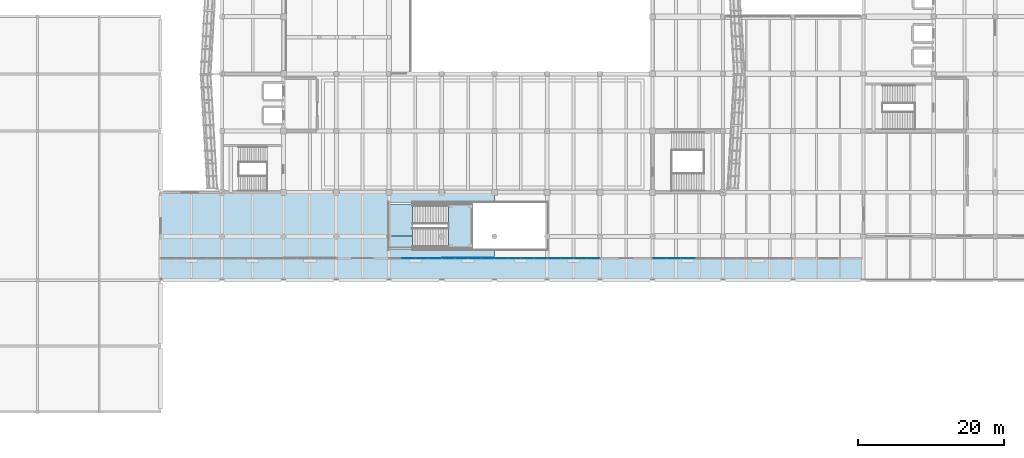
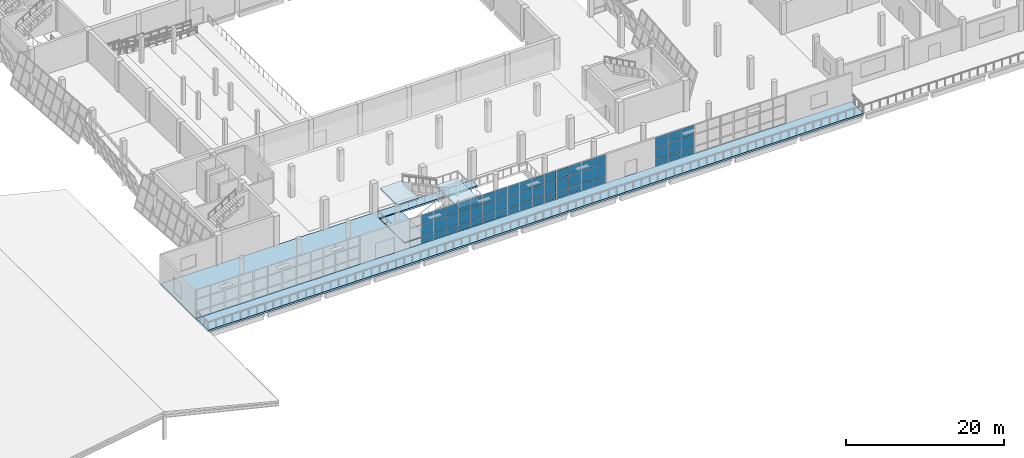
# One storey, part 50 of 79: 54 plates, 5 slabs, 6 elements without a shape of their own.
"""IFC4 building model written with IfcOpenShell, lengths in metres."""

import ifcopenshell
import ifcopenshell.guid

model = None  # the IFC model being written
_history = None  # IfcOwnerHistory: only IFC2X3 demands one
_inside = {}  # id of a spatial element -> (the spatial element, [elements in it])
_under = {}  # id of a project, library or spatial element -> (it, [spatial elements below it])
_declared = {}  # id of a project -> (the project, [libraries it declares])
_typed = {}  # id of a type object -> (the type object, [elements of that type])
_made_of = {}  # id of a material, layer set ... -> (it, [elements and type objects made of it])


def new_model(schema):
    """Start an empty IFC model of exactly this schema.

    Asked for "IFC4X3", IfcOpenShell would pick the latest addendum, in which some entities
    have other attributes; the version numbers below select the first issue.
    IFC2X3 requires an IfcOwnerHistory on every rooted entity: one is made here for all.
    """
    global model, _history
    if schema == "IFC4X3":
        model = ifcopenshell.file(schema_version=(4, 3, 0, 0))
    else:
        model = ifcopenshell.file(schema=schema)
    _inside.clear()
    _under.clear()
    _declared.clear()
    _typed.clear()
    _made_of.clear()
    _history = None
    if model.schema == "IFC2X3":
        org = make("IfcOrganization", Name="unknown")
        user = make(
            "IfcPersonAndOrganization",
            ThePerson=make("IfcPerson", FamilyName="unknown"),
            TheOrganization=org,
        )
        app = make(
            "IfcApplication",
            ApplicationDeveloper=org,
            Version="unknown",
            ApplicationFullName="unknown",
            ApplicationIdentifier="unknown",
        )
        _history = make(
            "IfcOwnerHistory",
            OwningUser=user,
            OwningApplication=app,
            ChangeAction="ADDED",
            CreationDate=0,
        )
    return model


def make(cls, **values):
    """One entity of the class cls with the attributes given. An attribute that is None is left unset."""
    return model.create_entity(
        cls, **{name: value for name, value in values.items() if value is not None}
    )


def rooted(cls, **values):
    """An entity with a GlobalId (a new one), such as an element, a storey or a relation."""
    return make(cls, GlobalId=ifcopenshell.guid.new(), OwnerHistory=_history, **values)


def si_unit(unit_type, name, prefix=None):
    """IfcSIUnit, for example si_unit("LENGTHUNIT", "METRE", prefix="MILLI")."""
    return make("IfcSIUnit", UnitType=unit_type, Prefix=prefix, Name=name)


def assignment(units):
    """IfcUnitAssignment: the units of a project."""
    return None if units is None else make("IfcUnitAssignment", Units=units)


def point(xyz):
    """IfcCartesianPoint."""
    return None if xyz is None else make("IfcCartesianPoint", Coordinates=xyz)


def direction(xyz):
    """IfcDirection."""
    return None if xyz is None else make("IfcDirection", DirectionRatios=xyz)


def frame(location, z_axis=None, x_axis=None):
    """IfcAxis2Placement3D, a coordinate frame: its origin and axes. An axis left out is left unset."""
    return make(
        "IfcAxis2Placement3D",
        Location=point(location),
        Axis=direction(z_axis),
        RefDirection=direction(x_axis),
    )


def origin():
    """The frame at (0, 0, 0) with its axes left unset."""
    return frame((0.0, 0.0, 0.0))


def place(relative_to, where):
    """IfcLocalPlacement: puts the frame where relative to a parent placement (None: the world)."""
    return make(
        "IfcLocalPlacement", PlacementRelTo=relative_to, RelativePlacement=where
    )


def context(
    kind, dimensions, precision=None, world=None, true_north=None, identifier=None
):
    """IfcGeometricRepresentationContext, for example the 3D "Model" context."""
    return make(
        "IfcGeometricRepresentationContext",
        ContextIdentifier=identifier,
        ContextType=kind,
        CoordinateSpaceDimension=dimensions,
        Precision=precision,
        WorldCoordinateSystem=world,
        TrueNorth=true_north,
    )


def subcontext(parent, identifier, kind, view, scale=None):
    """IfcGeometricRepresentationSubContext, for example "Body" below "Model"."""
    return make(
        "IfcGeometricRepresentationSubContext",
        ContextIdentifier=identifier,
        ContextType=kind,
        ParentContext=parent,
        TargetScale=scale,
        TargetView=view,
    )


def project(units=None, contexts=None):
    """IfcProject with its units and contexts."""
    return rooted(
        "IfcProject",
        Name="project",
        RepresentationContexts=contexts,
        UnitsInContext=assignment(units),
    )


def spatial(cls, under=None, at=None, **own):
    """A site, building, storey or space (cls), placed at a placement, below another one or the project."""
    s = rooted(cls, ObjectPlacement=at, **own)
    if under is not None:
        _under.setdefault(under.id(), (under, []))[1].append(s)
    return s


def polyline(points):
    """IfcPolyline through the points."""
    return make("IfcPolyline", Points=[point(p) for p in points])


def outline(outer, holes=None, kind="AREA"):
    """IfcArbitraryClosedProfileDef: a profile drawn as a closed curve; with holes, ...WithVoids."""
    if holes is None:
        return make("IfcArbitraryClosedProfileDef", ProfileType=kind, OuterCurve=outer)
    return make(
        "IfcArbitraryProfileDefWithVoids",
        ProfileType=kind,
        OuterCurve=outer,
        InnerCurves=holes,
    )


def extrude(swept, where, along, depth):
    """IfcExtrudedAreaSolid: the profile swept, set in the frame where, extruded along a direction by depth."""
    return make(
        "IfcExtrudedAreaSolid",
        SweptArea=swept,
        Position=where,
        ExtrudedDirection=direction(along),
        Depth=depth,
    )


def shape(context_of_items, identifier, shape_type, items):
    """IfcShapeRepresentation: the items that make up one representation, for example the "Body"."""
    return make(
        "IfcShapeRepresentation",
        ContextOfItems=context_of_items,
        RepresentationIdentifier=identifier,
        RepresentationType=shape_type,
        Items=items,
    )


def material(Name=None, Category=None):
    """IfcMaterial."""
    return make("IfcMaterial", Name=Name, Category=Category)


def layer(
    of_material, thickness, ventilated=None, Name=None, Category=None, Priority=None
):
    """IfcMaterialLayer: one layer of a wall or slab, of a material (None: an air gap)."""
    return make(
        "IfcMaterialLayer",
        Material=of_material,
        LayerThickness=thickness,
        IsVentilated=ventilated,
        Name=Name,
        Category=Category,
        Priority=Priority,
    )


def layer_set(layers, Name=None):
    """IfcMaterialLayerSet."""
    return make("IfcMaterialLayerSet", MaterialLayers=layers, LayerSetName=Name)


def made_of(thing, what):
    """Note that an element or type object is made of a material, layer set ...; save() writes the relation."""
    if what is not None:
        _made_of.setdefault(what.id(), (what, []))[1].append(thing)
    return thing


def type_object(cls, material=None, **own):
    """A type object (cls), such as IfcWallType, which elements share."""
    return made_of(rooted(cls, **own), material)


def element(
    cls,
    number,
    at=None,
    inside=None,
    cuts=None,
    type_object=None,
    material=None,
    context=None,
    identifier="Body",
    shape_type=None,
    held_by="IfcProductDefinitionShape",
    body=None,
    shapes=None,
    **own,
):
    """One element of the class cls, such as IfcWall. Its Tag is "e" and its number.

    at: its placement. inside: the storey or other place that contains it. cuts: it is an
    opening in that element (IfcRelVoidsElement). A single representation is given by context,
    identifier, shape_type and body (its items); several are given by shapes. held_by: the class
    of the entity that holds the representations. save() writes the other relations.
    """
    e = rooted(cls, Tag="e%d" % number, ObjectPlacement=at, **own)
    if body is not None:
        shapes = [shape(context, identifier, shape_type, body)]
    if shapes is not None:
        e.Representation = make(held_by, Representations=shapes)
    if inside is not None:
        _inside.setdefault(inside.id(), (inside, []))[1].append(e)
    if cuts is not None:
        rooted(
            "IfcRelVoidsElement", RelatingBuildingElement=cuts, RelatedOpeningElement=e
        )
    if type_object is not None:
        _typed.setdefault(type_object.id(), (type_object, []))[1].append(e)
    return made_of(e, material)


def aggregate(whole, parts):
    """IfcRelAggregates: a whole, such as a stair, and the parts it consists of."""
    return rooted("IfcRelAggregates", RelatingObject=whole, RelatedObjects=parts)


def save(model, path):
    """Write the relations noted so far, then the file.

    IfcRelAggregates (storeys below a building ...), IfcRelContainedInSpatialStructure (elements
    in a storey), IfcRelDefinesByType, IfcRelAssociatesMaterial and IfcRelDeclares: one each for
    every whole, place, type object, material and project.
    """
    for whole, parts in _under.values():
        aggregate(whole, parts)
    for where, things in _inside.values():
        rooted(
            "IfcRelContainedInSpatialStructure",
            RelatedElements=things,
            RelatingStructure=where,
        )
    for kind, things in _typed.values():
        rooted("IfcRelDefinesByType", RelatedObjects=things, RelatingType=kind)
    for what, things in _made_of.values():
        rooted("IfcRelAssociatesMaterial", RelatedObjects=things, RelatingMaterial=what)
    for by, libraries in _declared.values():
        rooted("IfcRelDeclares", RelatingContext=by, RelatedDefinitions=libraries)
    model.write(path)


model = new_model("IFC4")

# Units and contexts
model_context = context("Model", 3, precision=1e-05, world=origin(), true_north=direction((0.0, 1.0)))
body_context = subcontext(model_context, "Body", "Model", "MODEL_VIEW")
ifc_project = project(units=[si_unit("LENGTHUNIT", "METRE"), si_unit("AREAUNIT", "SQUARE_METRE"), si_unit("VOLUMEUNIT", "CUBIC_METRE"), si_unit("PLANEANGLEUNIT", "RADIAN"), si_unit("MASSUNIT", "GRAM", prefix="KILO")], contexts=[model_context])

# Site, building, storey
site_placement = place(None, origin())
site = spatial("IfcSite", under=ifc_project, at=site_placement, CompositionType="ELEMENT")
building_placement = place(site_placement, origin())
building = spatial("IfcBuilding", under=site, at=building_placement, Name="Pellamere Symphony Hall", CompositionType="ELEMENT")
storey_placement = place(building_placement, frame((0.0, 0.0, 10.199951171875)))
storey = spatial("IfcBuildingStorey", under=building, at=storey_placement, Name="L02", CompositionType="ELEMENT", Elevation=10.199951171875)

# Curtain wall, plates
ifc_material_1 = material(Name="Thermally Broken Anodised Aluminium 6063-T6 Curtain Wall", Category="aluminium")
curtain_wall_type = type_object("IfcCurtainWallType", Name="Curtain Wall CW-02 (Winter-Garden South Concourse Curtain Wall)", PredefinedType="NOTDEFINED", material=ifc_material_1)
curtain_wall_1_placement = place(storey_placement, origin())
curtain_wall_1 = element("IfcCurtainWall", 1, at=curtain_wall_1_placement, inside=storey, type_object=curtain_wall_type, Name="Winter-Garden South Curtain Wall (L02 Bay 5)", PredefinedType="NOTDEFINED")
ifc_material_2 = material(Name="Triple Low-E Argon Acoustic Glazing 36mm", Category="glass")
ifc_layer_1 = layer(ifc_material_2, 0.035888671875, Name="Triple Low-E Argon Acoustic Glazing 36mm")
ifc_layer_set_1 = layer_set([ifc_layer_1], Name="Triple Low-E Argon Acoustic Glazing 36mm")
plate_type_1 = type_object("IfcPlateType", Name="Facade Panel GL-01 36mm", PredefinedType="CURTAIN_PANEL", material=ifc_layer_set_1)
plate_1_placement = place(storey_placement, frame((75.032470703125, 21.0, 0.06494140625), z_axis=(0.0, -1.0, 0.0), x_axis=(1.0, 0.0, 0.0)))
plate_1 = element("IfcPlate", 2, at=plate_1_placement, type_object=plate_type_1, Name="CW2-080 crystal glass panel 2.1", PredefinedType="CURTAIN_PANEL", context=body_context, shape_type="SweptSolid", body=[
    extrude(outline(polyline([(0.0, 0.0), (1.735107421875, 0.0), (1.735107421875, 0.982666015625), (0.0, 0.982666015625), (0.0, 0.0)])), origin(), (0.0, 0.0, -1.0), 0.035888671875),
])
plate_2_placement = place(storey_placement, frame((75.032470703125, 21.0, 1.112548828125), z_axis=(0.0, -1.0, 0.0), x_axis=(1.0, 0.0, 0.0)))
plate_2 = element("IfcPlate", 3, at=plate_2_placement, type_object=plate_type_1, Name="CW2-080 crystal glass panel 2.2", PredefinedType="CURTAIN_PANEL", context=body_context, shape_type="SweptSolid", body=[
    extrude(outline(polyline([(0.0, 0.0), (1.735107421875, 0.0), (1.735107421875, 1.824951171875), (0.0, 1.824951171875), (0.0, 0.0)])), origin(), (0.0, 0.0, -1.0), 0.035888671875),
])
plate_3_placement = place(storey_placement, frame((75.032470703125, 21.0, 3.00244140625), z_axis=(0.0, -1.0, 0.0), x_axis=(1.0, 0.0, 0.0)))
plate_3 = element("IfcPlate", 4, at=plate_3_placement, type_object=plate_type_1, Name="CW2-080 crystal glass panel 2.3", PredefinedType="CURTAIN_PANEL", context=body_context, shape_type="SweptSolid", body=[
    extrude(outline(polyline([(0.0, 0.0), (1.735107421875, 0.0), (1.735107421875, 1.4326171875), (0.0, 1.4326171875), (0.0, 0.0)])), origin(), (0.0, 0.0, -1.0), 0.035888671875),
])
plate_4_placement = place(storey_placement, frame((76.83251953125, 21.0, 0.06494140625), z_axis=(0.0, -1.0, 0.0), x_axis=(1.0, 0.0, 0.0)))
plate_4 = element("IfcPlate", 5, at=plate_4_placement, type_object=plate_type_1, Name="CW2-080 crystal glass panel 3.1", PredefinedType="CURTAIN_PANEL", context=body_context, shape_type="SweptSolid", body=[
    extrude(outline(polyline([(0.0, 0.0), (1.73486328125, 0.0), (1.73486328125, 0.982666015625), (0.0, 0.982666015625), (0.0, 0.0)])), origin(), (0.0, 0.0, -1.0), 0.035888671875),
])
plate_5_placement = place(storey_placement, frame((76.83251953125, 21.0, 1.112548828125), z_axis=(0.0, -1.0, 0.0), x_axis=(1.0, 0.0, 0.0)))
plate_5 = element("IfcPlate", 6, at=plate_5_placement, type_object=plate_type_1, Name="CW2-080 crystal glass panel 3.2", PredefinedType="CURTAIN_PANEL", context=body_context, shape_type="SweptSolid", body=[
    extrude(outline(polyline([(0.0, 0.0), (1.73486328125, 0.0), (1.73486328125, 1.824951171875), (0.0, 1.824951171875), (0.0, 0.0)])), origin(), (0.0, 0.0, -1.0), 0.035888671875),
])
plate_6_placement = place(storey_placement, frame((76.83251953125, 21.0, 3.00244140625), z_axis=(0.0, -1.0, 0.0), x_axis=(1.0, 0.0, 0.0)))
plate_6 = element("IfcPlate", 7, at=plate_6_placement, type_object=plate_type_1, Name="CW2-080 crystal glass panel 3.3", PredefinedType="CURTAIN_PANEL", context=body_context, shape_type="SweptSolid", body=[
    extrude(outline(polyline([(0.0, 0.0), (1.73486328125, 0.0), (1.73486328125, 1.4326171875), (0.0, 1.4326171875), (0.0, 0.0)])), origin(), (0.0, 0.0, -1.0), 0.035888671875),
])
plate_7_placement = place(storey_placement, frame((78.632568359375, 21.0, 0.06494140625), z_axis=(0.0, -1.0, 0.0), x_axis=(1.0, 0.0, 0.0)))
plate_7 = element("IfcPlate", 8, at=plate_7_placement, type_object=plate_type_1, Name="CW2-080 crystal glass panel 4.1", PredefinedType="CURTAIN_PANEL", context=body_context, shape_type="SweptSolid", body=[
    extrude(outline(polyline([(0.0, 0.0), (1.702392578125, 0.0), (1.702392578125, 0.982666015625), (0.0, 0.982666015625), (0.0, 0.0)])), origin(), (0.0, 0.0, -1.0), 0.035888671875),
])
plate_8_placement = place(storey_placement, frame((78.632568359375, 21.0, 1.112548828125), z_axis=(0.0, -1.0, 0.0), x_axis=(1.0, 0.0, 0.0)))
plate_8 = element("IfcPlate", 9, at=plate_8_placement, type_object=plate_type_1, Name="CW2-080 crystal glass panel 4.2", PredefinedType="CURTAIN_PANEL", context=body_context, shape_type="SweptSolid", body=[
    extrude(outline(polyline([(0.0, 0.0), (1.702392578125, 0.0), (1.702392578125, 1.824951171875), (0.0, 1.824951171875), (0.0, 0.0)])), origin(), (0.0, 0.0, -1.0), 0.035888671875),
])
plate_9_placement = place(storey_placement, frame((78.632568359375, 21.0, 3.00244140625), z_axis=(0.0, -1.0, 0.0), x_axis=(1.0, 0.0, 0.0)))
plate_9 = element("IfcPlate", 10, at=plate_9_placement, type_object=plate_type_1, Name="CW2-080 crystal glass panel 4.3", PredefinedType="CURTAIN_PANEL", context=body_context, shape_type="SweptSolid", body=[
    extrude(outline(polyline([(0.0, 0.0), (1.702392578125, 0.0), (1.702392578125, 1.4326171875), (0.0, 1.4326171875), (0.0, 0.0)])), origin(), (0.0, 0.0, -1.0), 0.035888671875),
])
aggregate(curtain_wall_1, [plate_1, plate_2, plate_3, plate_4, plate_5, plate_6, plate_7, plate_8, plate_9])

curtain_wall_2_placement = place(storey_placement, origin())
curtain_wall_2 = element("IfcCurtainWall", 11, at=curtain_wall_2_placement, inside=storey, type_object=curtain_wall_type, Name="Winter-Garden South Curtain Wall (L02 Bay 7)", PredefinedType="NOTDEFINED")
plate_10_placement = place(storey_placement, frame((87.6650390625, 21.0, 0.06494140625), z_axis=(0.0, -1.0, 0.0), x_axis=(1.0, 0.0, 0.0)))
plate_10 = element("IfcPlate", 12, at=plate_10_placement, type_object=plate_type_1, Name="CW2-082 crystal glass panel 1.1", PredefinedType="CURTAIN_PANEL", context=body_context, shape_type="SweptSolid", body=[
    extrude(outline(polyline([(0.0, 0.0), (1.702392578125, 0.0), (1.702392578125, 0.982666015625), (0.0, 0.982666015625), (0.0, 0.0)])), origin(), (0.0, 0.0, -1.0), 0.035888671875),
])
plate_11_placement = place(storey_placement, frame((87.6650390625, 21.0, 1.112548828125), z_axis=(0.0, -1.0, 0.0), x_axis=(1.0, 0.0, 0.0)))
plate_11 = element("IfcPlate", 13, at=plate_11_placement, type_object=plate_type_1, Name="CW2-082 crystal glass panel 1.2", PredefinedType="CURTAIN_PANEL", context=body_context, shape_type="SweptSolid", body=[
    extrude(outline(polyline([(0.0, 0.0), (1.702392578125, 0.0), (1.702392578125, 1.824951171875), (0.0, 1.824951171875), (0.0, 0.0)])), origin(), (0.0, 0.0, -1.0), 0.035888671875),
])
plate_12_placement = place(storey_placement, frame((87.6650390625, 21.0, 3.00244140625), z_axis=(0.0, -1.0, 0.0), x_axis=(1.0, 0.0, 0.0)))
plate_12 = element("IfcPlate", 14, at=plate_12_placement, type_object=plate_type_1, Name="CW2-082 crystal glass panel 1.3", PredefinedType="CURTAIN_PANEL", context=body_context, shape_type="SweptSolid", body=[
    extrude(outline(polyline([(0.0, 0.0), (1.702392578125, 0.0), (1.702392578125, 1.4326171875), (0.0, 1.4326171875), (0.0, 0.0)])), origin(), (0.0, 0.0, -1.0), 0.035888671875),
])
plate_13_placement = place(storey_placement, frame((89.4326171875, 21.0, 0.06494140625), z_axis=(0.0, -1.0, 0.0), x_axis=(1.0, 0.0, 0.0)))
plate_13 = element("IfcPlate", 15, at=plate_13_placement, type_object=plate_type_1, Name="CW2-082 crystal glass panel 2.1", PredefinedType="CURTAIN_PANEL", context=body_context, shape_type="SweptSolid", body=[
    extrude(outline(polyline([(0.0, 0.0), (1.73486328125, 0.0), (1.73486328125, 0.982666015625), (0.0, 0.982666015625), (0.0, 0.0)])), origin(), (0.0, 0.0, -1.0), 0.035888671875),
])
plate_14_placement = place(storey_placement, frame((89.4326171875, 21.0, 1.112548828125), z_axis=(0.0, -1.0, 0.0), x_axis=(1.0, 0.0, 0.0)))
plate_14 = element("IfcPlate", 16, at=plate_14_placement, type_object=plate_type_1, Name="CW2-082 crystal glass panel 2.2", PredefinedType="CURTAIN_PANEL", context=body_context, shape_type="SweptSolid", body=[
    extrude(outline(polyline([(0.0, 0.0), (1.73486328125, 0.0), (1.73486328125, 1.824951171875), (0.0, 1.824951171875), (0.0, 0.0)])), origin(), (0.0, 0.0, -1.0), 0.035888671875),
])
plate_15_placement = place(storey_placement, frame((89.4326171875, 21.0, 3.00244140625), z_axis=(0.0, -1.0, 0.0), x_axis=(1.0, 0.0, 0.0)))
plate_15 = element("IfcPlate", 17, at=plate_15_placement, type_object=plate_type_1, Name="CW2-082 crystal glass panel 2.3", PredefinedType="CURTAIN_PANEL", context=body_context, shape_type="SweptSolid", body=[
    extrude(outline(polyline([(0.0, 0.0), (1.73486328125, 0.0), (1.73486328125, 1.4326171875), (0.0, 1.4326171875), (0.0, 0.0)])), origin(), (0.0, 0.0, -1.0), 0.035888671875),
])
plate_16_placement = place(storey_placement, frame((91.232421875, 21.0, 0.06494140625), z_axis=(0.0, -1.0, 0.0), x_axis=(1.0, 0.0, 0.0)))
plate_16 = element("IfcPlate", 18, at=plate_16_placement, type_object=plate_type_1, Name="CW2-082 crystal glass panel 3.1", PredefinedType="CURTAIN_PANEL", context=body_context, shape_type="SweptSolid", body=[
    extrude(outline(polyline([(0.0, 0.0), (1.735107421875, 0.0), (1.735107421875, 0.982666015625), (0.0, 0.982666015625), (0.0, 0.0)])), origin(), (0.0, 0.0, -1.0), 0.035888671875),
])
plate_17_placement = place(storey_placement, frame((91.232421875, 21.0, 1.112548828125), z_axis=(0.0, -1.0, 0.0), x_axis=(1.0, 0.0, 0.0)))
plate_17 = element("IfcPlate", 19, at=plate_17_placement, type_object=plate_type_1, Name="CW2-082 crystal glass panel 3.2", PredefinedType="CURTAIN_PANEL", context=body_context, shape_type="SweptSolid", body=[
    extrude(outline(polyline([(0.0, 0.0), (1.735107421875, 0.0), (1.735107421875, 1.824951171875), (0.0, 1.824951171875), (0.0, 0.0)])), origin(), (0.0, 0.0, -1.0), 0.035888671875),
])
plate_18_placement = place(storey_placement, frame((91.232421875, 21.0, 3.00244140625), z_axis=(0.0, -1.0, 0.0), x_axis=(1.0, 0.0, 0.0)))
plate_18 = element("IfcPlate", 20, at=plate_18_placement, type_object=plate_type_1, Name="CW2-082 crystal glass panel 3.3", PredefinedType="CURTAIN_PANEL", context=body_context, shape_type="SweptSolid", body=[
    extrude(outline(polyline([(0.0, 0.0), (1.735107421875, 0.0), (1.735107421875, 1.4326171875), (0.0, 1.4326171875), (0.0, 0.0)])), origin(), (0.0, 0.0, -1.0), 0.035888671875),
])
plate_19_placement = place(storey_placement, frame((93.032470703125, 21.0, 0.06494140625), z_axis=(0.0, -1.0, 0.0), x_axis=(1.0, 0.0, 0.0)))
plate_19 = element("IfcPlate", 21, at=plate_19_placement, type_object=plate_type_1, Name="CW2-082 crystal glass panel 4.1", PredefinedType="CURTAIN_PANEL", context=body_context, shape_type="SweptSolid", body=[
    extrude(outline(polyline([(0.0, 0.0), (1.70263671875, 0.0), (1.70263671875, 0.982666015625), (0.0, 0.982666015625), (0.0, 0.0)])), origin(), (0.0, 0.0, -1.0), 0.035888671875),
])
plate_20_placement = place(storey_placement, frame((93.032470703125, 21.0, 1.112548828125), z_axis=(0.0, -1.0, 0.0), x_axis=(1.0, 0.0, 0.0)))
plate_20 = element("IfcPlate", 22, at=plate_20_placement, type_object=plate_type_1, Name="CW2-082 crystal glass panel 4.2", PredefinedType="CURTAIN_PANEL", context=body_context, shape_type="SweptSolid", body=[
    extrude(outline(polyline([(0.0, 0.0), (1.70263671875, 0.0), (1.70263671875, 1.824951171875), (0.0, 1.824951171875), (0.0, 0.0)])), origin(), (0.0, 0.0, -1.0), 0.035888671875),
])
plate_21_placement = place(storey_placement, frame((93.032470703125, 21.0, 3.00244140625), z_axis=(0.0, -1.0, 0.0), x_axis=(1.0, 0.0, 0.0)))
plate_21 = element("IfcPlate", 23, at=plate_21_placement, type_object=plate_type_1, Name="CW2-082 crystal glass panel 4.3", PredefinedType="CURTAIN_PANEL", context=body_context, shape_type="SweptSolid", body=[
    extrude(outline(polyline([(0.0, 0.0), (1.70263671875, 0.0), (1.70263671875, 1.4326171875), (0.0, 1.4326171875), (0.0, 0.0)])), origin(), (0.0, 0.0, -1.0), 0.035888671875),
])
aggregate(curtain_wall_2, [plate_10, plate_11, plate_12, plate_13, plate_14, plate_15, plate_16, plate_17, plate_18, plate_19, plate_20, plate_21])

curtain_wall_3_placement = place(storey_placement, origin())
curtain_wall_3 = element("IfcCurtainWall", 24, at=curtain_wall_3_placement, inside=storey, type_object=curtain_wall_type, Name="Winter-Garden South Curtain Wall (L02 Bay 8)", PredefinedType="NOTDEFINED")
plate_22_placement = place(storey_placement, frame((94.864990234375, 21.0, 0.06494140625), z_axis=(0.0, -1.0, 0.0), x_axis=(1.0, 0.0, 0.0)))
plate_22 = element("IfcPlate", 25, at=plate_22_placement, type_object=plate_type_1, Name="CW2-083 crystal glass panel 1.1", PredefinedType="CURTAIN_PANEL", context=body_context, shape_type="SweptSolid", body=[
    extrude(outline(polyline([(0.0, 0.0), (1.702392578125, 0.0), (1.702392578125, 0.982666015625), (0.0, 0.982666015625), (0.0, 0.0)])), origin(), (0.0, 0.0, -1.0), 0.035888671875),
])
plate_23_placement = place(storey_placement, frame((94.864990234375, 21.0, 1.112548828125), z_axis=(0.0, -1.0, 0.0), x_axis=(1.0, 0.0, 0.0)))
plate_23 = element("IfcPlate", 26, at=plate_23_placement, type_object=plate_type_1, Name="CW2-083 crystal glass panel 1.2", PredefinedType="CURTAIN_PANEL", context=body_context, shape_type="SweptSolid", body=[
    extrude(outline(polyline([(0.0, 0.0), (1.702392578125, 0.0), (1.702392578125, 1.824951171875), (0.0, 1.824951171875), (0.0, 0.0)])), origin(), (0.0, 0.0, -1.0), 0.035888671875),
])
plate_24_placement = place(storey_placement, frame((94.864990234375, 21.0, 3.00244140625), z_axis=(0.0, -1.0, 0.0), x_axis=(1.0, 0.0, 0.0)))
plate_24 = element("IfcPlate", 27, at=plate_24_placement, type_object=plate_type_1, Name="CW2-083 crystal glass panel 1.3", PredefinedType="CURTAIN_PANEL", context=body_context, shape_type="SweptSolid", body=[
    extrude(outline(polyline([(0.0, 0.0), (1.702392578125, 0.0), (1.702392578125, 1.4326171875), (0.0, 1.4326171875), (0.0, 0.0)])), origin(), (0.0, 0.0, -1.0), 0.035888671875),
])
plate_25_placement = place(storey_placement, frame((96.632568359375, 21.0, 0.06494140625), z_axis=(0.0, -1.0, 0.0), x_axis=(1.0, 0.0, 0.0)))
plate_25 = element("IfcPlate", 28, at=plate_25_placement, type_object=plate_type_1, Name="CW2-083 crystal glass panel 2.1", PredefinedType="CURTAIN_PANEL", context=body_context, shape_type="SweptSolid", body=[
    extrude(outline(polyline([(0.0, 0.0), (1.73486328125, 0.0), (1.73486328125, 0.982666015625), (0.0, 0.982666015625), (0.0, 0.0)])), origin(), (0.0, 0.0, -1.0), 0.035888671875),
])
plate_26_placement = place(storey_placement, frame((96.632568359375, 21.0, 1.112548828125), z_axis=(0.0, -1.0, 0.0), x_axis=(1.0, 0.0, 0.0)))
plate_26 = element("IfcPlate", 29, at=plate_26_placement, type_object=plate_type_1, Name="CW2-083 crystal glass panel 2.2", PredefinedType="CURTAIN_PANEL", context=body_context, shape_type="SweptSolid", body=[
    extrude(outline(polyline([(0.0, 0.0), (1.73486328125, 0.0), (1.73486328125, 1.824951171875), (0.0, 1.824951171875), (0.0, 0.0)])), origin(), (0.0, 0.0, -1.0), 0.035888671875),
])
plate_27_placement = place(storey_placement, frame((96.632568359375, 21.0, 3.00244140625), z_axis=(0.0, -1.0, 0.0), x_axis=(1.0, 0.0, 0.0)))
plate_27 = element("IfcPlate", 30, at=plate_27_placement, type_object=plate_type_1, Name="CW2-083 crystal glass panel 2.3", PredefinedType="CURTAIN_PANEL", context=body_context, shape_type="SweptSolid", body=[
    extrude(outline(polyline([(0.0, 0.0), (1.73486328125, 0.0), (1.73486328125, 1.4326171875), (0.0, 1.4326171875), (0.0, 0.0)])), origin(), (0.0, 0.0, -1.0), 0.035888671875),
])
plate_28_placement = place(storey_placement, frame((98.4326171875, 21.0, 0.06494140625), z_axis=(0.0, -1.0, 0.0), x_axis=(1.0, 0.0, 0.0)))
plate_28 = element("IfcPlate", 31, at=plate_28_placement, type_object=plate_type_1, Name="CW2-083 crystal glass panel 3.1", PredefinedType="CURTAIN_PANEL", context=body_context, shape_type="SweptSolid", body=[
    extrude(outline(polyline([(0.0, 0.0), (1.73486328125, 0.0), (1.73486328125, 0.982666015625), (0.0, 0.982666015625), (0.0, 0.0)])), origin(), (0.0, 0.0, -1.0), 0.035888671875),
])
plate_29_placement = place(storey_placement, frame((98.4326171875, 21.0, 1.112548828125), z_axis=(0.0, -1.0, 0.0), x_axis=(1.0, 0.0, 0.0)))
plate_29 = element("IfcPlate", 32, at=plate_29_placement, type_object=plate_type_1, Name="CW2-083 crystal glass panel 3.2", PredefinedType="CURTAIN_PANEL", context=body_context, shape_type="SweptSolid", body=[
    extrude(outline(polyline([(0.0, 0.0), (1.73486328125, 0.0), (1.73486328125, 1.824951171875), (0.0, 1.824951171875), (0.0, 0.0)])), origin(), (0.0, 0.0, -1.0), 0.035888671875),
])
plate_30_placement = place(storey_placement, frame((98.4326171875, 21.0, 3.00244140625), z_axis=(0.0, -1.0, 0.0), x_axis=(1.0, 0.0, 0.0)))
plate_30 = element("IfcPlate", 33, at=plate_30_placement, type_object=plate_type_1, Name="CW2-083 crystal glass panel 3.3", PredefinedType="CURTAIN_PANEL", context=body_context, shape_type="SweptSolid", body=[
    extrude(outline(polyline([(0.0, 0.0), (1.73486328125, 0.0), (1.73486328125, 1.4326171875), (0.0, 1.4326171875), (0.0, 0.0)])), origin(), (0.0, 0.0, -1.0), 0.035888671875),
])
plate_31_placement = place(storey_placement, frame((100.232421875, 21.0, 0.06494140625), z_axis=(0.0, -1.0, 0.0), x_axis=(1.0, 0.0, 0.0)))
plate_31 = element("IfcPlate", 34, at=plate_31_placement, type_object=plate_type_1, Name="CW2-083 crystal glass panel 4.1", PredefinedType="CURTAIN_PANEL", context=body_context, shape_type="SweptSolid", body=[
    extrude(outline(polyline([(0.0, 0.0), (1.70263671875, 0.0), (1.70263671875, 0.982666015625), (0.0, 0.982666015625), (0.0, 0.0)])), origin(), (0.0, 0.0, -1.0), 0.035888671875),
])
plate_32_placement = place(storey_placement, frame((100.232421875, 21.0, 1.112548828125), z_axis=(0.0, -1.0, 0.0), x_axis=(1.0, 0.0, 0.0)))
plate_32 = element("IfcPlate", 35, at=plate_32_placement, type_object=plate_type_1, Name="CW2-083 crystal glass panel 4.2", PredefinedType="CURTAIN_PANEL", context=body_context, shape_type="SweptSolid", body=[
    extrude(outline(polyline([(0.0, 0.0), (1.70263671875, 0.0), (1.70263671875, 1.824951171875), (0.0, 1.824951171875), (0.0, 0.0)])), origin(), (0.0, 0.0, -1.0), 0.035888671875),
])
plate_33_placement = place(storey_placement, frame((100.232421875, 21.0, 3.00244140625), z_axis=(0.0, -1.0, 0.0), x_axis=(1.0, 0.0, 0.0)))
plate_33 = element("IfcPlate", 36, at=plate_33_placement, type_object=plate_type_1, Name="CW2-083 crystal glass panel 4.3", PredefinedType="CURTAIN_PANEL", context=body_context, shape_type="SweptSolid", body=[
    extrude(outline(polyline([(0.0, 0.0), (1.70263671875, 0.0), (1.70263671875, 1.4326171875), (0.0, 1.4326171875), (0.0, 0.0)])), origin(), (0.0, 0.0, -1.0), 0.035888671875),
])
aggregate(curtain_wall_3, [plate_22, plate_23, plate_24, plate_25, plate_26, plate_27, plate_28, plate_29, plate_30, plate_31, plate_32, plate_33])

curtain_wall_4_placement = place(storey_placement, origin())
curtain_wall_4 = element("IfcCurtainWall", 37, at=curtain_wall_4_placement, inside=storey, type_object=curtain_wall_type, Name="Winter-Garden South Curtain Wall (L02 Bay 10)", PredefinedType="NOTDEFINED")
plate_34_placement = place(storey_placement, frame((109.264892578125, 21.0, 0.06494140625), z_axis=(0.0, -1.0, 0.0), x_axis=(1.0, 0.0, 0.0)))
plate_34 = element("IfcPlate", 38, at=plate_34_placement, type_object=plate_type_1, Name="CW2-084 crystal glass panel 1.1", PredefinedType="CURTAIN_PANEL", context=body_context, shape_type="SweptSolid", body=[
    extrude(outline(polyline([(0.0, 0.0), (1.822509765625, 0.0), (1.822509765625, 0.982666015625), (0.0, 0.982666015625), (0.0, 0.0)])), origin(), (0.0, 0.0, -1.0), 0.035888671875),
])
plate_35_placement = place(storey_placement, frame((109.264892578125, 21.0, 1.112548828125), z_axis=(0.0, -1.0, 0.0), x_axis=(1.0, 0.0, 0.0)))
plate_35 = element("IfcPlate", 39, at=plate_35_placement, type_object=plate_type_1, Name="CW2-084 crystal glass panel 1.2", PredefinedType="CURTAIN_PANEL", context=body_context, shape_type="SweptSolid", body=[
    extrude(outline(polyline([(0.0, 0.0), (1.822509765625, 0.0), (1.822509765625, 1.824951171875), (0.0, 1.824951171875), (0.0, 0.0)])), origin(), (0.0, 0.0, -1.0), 0.035888671875),
])
plate_36_placement = place(storey_placement, frame((109.264892578125, 21.0, 3.00244140625), z_axis=(0.0, -1.0, 0.0), x_axis=(1.0, 0.0, 0.0)))
plate_36 = element("IfcPlate", 40, at=plate_36_placement, type_object=plate_type_1, Name="CW2-084 crystal glass panel 1.3", PredefinedType="CURTAIN_PANEL", context=body_context, shape_type="SweptSolid", body=[
    extrude(outline(polyline([(0.0, 0.0), (1.822509765625, 0.0), (1.822509765625, 1.4326171875), (0.0, 1.4326171875), (0.0, 0.0)])), origin(), (0.0, 0.0, -1.0), 0.035888671875),
])
plate_37_placement = place(storey_placement, frame((111.152587890625, 21.0, 0.06494140625), z_axis=(0.0, -1.0, 0.0), x_axis=(1.0, 0.0, 0.0)))
plate_37 = element("IfcPlate", 41, at=plate_37_placement, type_object=plate_type_1, Name="CW2-084 crystal glass panel 2.1", PredefinedType="CURTAIN_PANEL", context=body_context, shape_type="SweptSolid", body=[
    extrude(outline(polyline([(0.0, 0.0), (1.85498046875, 0.0), (1.85498046875, 0.982666015625), (0.0, 0.982666015625), (0.0, 0.0)])), origin(), (0.0, 0.0, -1.0), 0.035888671875),
])
plate_38_placement = place(storey_placement, frame((111.152587890625, 21.0, 1.112548828125), z_axis=(0.0, -1.0, 0.0), x_axis=(1.0, 0.0, 0.0)))
plate_38 = element("IfcPlate", 42, at=plate_38_placement, type_object=plate_type_1, Name="CW2-084 crystal glass panel 2.2", PredefinedType="CURTAIN_PANEL", context=body_context, shape_type="SweptSolid", body=[
    extrude(outline(polyline([(0.0, 0.0), (1.85498046875, 0.0), (1.85498046875, 1.824951171875), (0.0, 1.824951171875), (0.0, 0.0)])), origin(), (0.0, 0.0, -1.0), 0.035888671875),
])
plate_39_placement = place(storey_placement, frame((111.152587890625, 21.0, 3.00244140625), z_axis=(0.0, -1.0, 0.0), x_axis=(1.0, 0.0, 0.0)))
plate_39 = element("IfcPlate", 43, at=plate_39_placement, type_object=plate_type_1, Name="CW2-084 crystal glass panel 2.3", PredefinedType="CURTAIN_PANEL", context=body_context, shape_type="SweptSolid", body=[
    extrude(outline(polyline([(0.0, 0.0), (1.85498046875, 0.0), (1.85498046875, 1.4326171875), (0.0, 1.4326171875), (0.0, 0.0)])), origin(), (0.0, 0.0, -1.0), 0.035888671875),
])
plate_40_placement = place(storey_placement, frame((113.072509765625, 21.0, 0.06494140625), z_axis=(0.0, -1.0, 0.0), x_axis=(1.0, 0.0, 0.0)))
plate_40 = element("IfcPlate", 44, at=plate_40_placement, type_object=plate_type_1, Name="CW2-084 crystal glass panel 3.1", PredefinedType="CURTAIN_PANEL", context=body_context, shape_type="SweptSolid", body=[
    extrude(outline(polyline([(0.0, 0.0), (1.85498046875, 0.0), (1.85498046875, 0.982666015625), (0.0, 0.982666015625), (0.0, 0.0)])), origin(), (0.0, 0.0, -1.0), 0.035888671875),
])
plate_41_placement = place(storey_placement, frame((113.072509765625, 21.0, 1.112548828125), z_axis=(0.0, -1.0, 0.0), x_axis=(1.0, 0.0, 0.0)))
plate_41 = element("IfcPlate", 45, at=plate_41_placement, type_object=plate_type_1, Name="CW2-084 crystal glass panel 3.2", PredefinedType="CURTAIN_PANEL", context=body_context, shape_type="SweptSolid", body=[
    extrude(outline(polyline([(0.0, 0.0), (1.85498046875, 0.0), (1.85498046875, 1.824951171875), (0.0, 1.824951171875), (0.0, 0.0)])), origin(), (0.0, 0.0, -1.0), 0.035888671875),
])
plate_42_placement = place(storey_placement, frame((113.072509765625, 21.0, 3.00244140625), z_axis=(0.0, -1.0, 0.0), x_axis=(1.0, 0.0, 0.0)))
plate_42 = element("IfcPlate", 46, at=plate_42_placement, type_object=plate_type_1, Name="CW2-084 crystal glass panel 3.3", PredefinedType="CURTAIN_PANEL", context=body_context, shape_type="SweptSolid", body=[
    extrude(outline(polyline([(0.0, 0.0), (1.85498046875, 0.0), (1.85498046875, 1.4326171875), (0.0, 1.4326171875), (0.0, 0.0)])), origin(), (0.0, 0.0, -1.0), 0.035888671875),
])
aggregate(curtain_wall_4, [plate_34, plate_35, plate_36, plate_37, plate_38, plate_39, plate_40, plate_41, plate_42])

curtain_wall_5_placement = place(storey_placement, origin())
curtain_wall_5 = element("IfcCurtainWall", 47, at=curtain_wall_5_placement, inside=storey, type_object=curtain_wall_type, Name="Winter-Garden South Curtain Wall (L02 Bay 6)", PredefinedType="NOTDEFINED")
ifc_material_3 = material(Name="Mineral-Wool Insulated Dark Zinc Spandrel Panel", Category="aluminium")
ifc_layer_2 = layer(ifc_material_3, 0.054931640625, Name="Mineral-Wool Insulated Dark Zinc Spandrel Panel")
ifc_layer_set_2 = layer_set([ifc_layer_2], Name="Mineral-Wool Insulated Dark Zinc Spandrel Panel")
plate_type_2 = type_object("IfcPlateType", Name="Facade Panel SP-02 55mm", PredefinedType="CURTAIN_PANEL", material=ifc_layer_set_2)
plate_43_placement = place(storey_placement, frame((80.465087890625, 21.0, 0.06494140625), z_axis=(0.0, -1.0, 0.0), x_axis=(1.0, 0.0, 0.0)))
plate_43 = element("IfcPlate", 48, at=plate_43_placement, type_object=plate_type_2, Name="CW2-081 crystal glass panel 1.1", PredefinedType="CURTAIN_PANEL", context=body_context, shape_type="SweptSolid", body=[
    extrude(outline(polyline([(0.0, 0.0), (1.702392578125, 0.0), (1.702392578125, 0.982666015625), (0.0, 0.982666015625), (0.0, 0.0)])), origin(), (0.0, 0.0, -1.0), 0.054931640625),
])
plate_44_placement = place(storey_placement, frame((80.465087890625, 21.0, 1.112548828125), z_axis=(0.0, -1.0, 0.0), x_axis=(1.0, 0.0, 0.0)))
plate_44 = element("IfcPlate", 49, at=plate_44_placement, type_object=plate_type_2, Name="CW2-081 crystal glass panel 1.2", PredefinedType="CURTAIN_PANEL", context=body_context, shape_type="SweptSolid", body=[
    extrude(outline(polyline([(0.0, 0.0), (1.702392578125, 0.0), (1.702392578125, 1.824951171875), (0.0, 1.824951171875), (0.0, 0.0)])), origin(), (0.0, 0.0, -1.0), 0.054931640625),
])
plate_45_placement = place(storey_placement, frame((80.465087890625, 21.0, 3.00244140625), z_axis=(0.0, -1.0, 0.0), x_axis=(1.0, 0.0, 0.0)))
plate_45 = element("IfcPlate", 50, at=plate_45_placement, type_object=plate_type_2, Name="CW2-081 crystal glass panel 1.3", PredefinedType="CURTAIN_PANEL", context=body_context, shape_type="SweptSolid", body=[
    extrude(outline(polyline([(0.0, 0.0), (1.702392578125, 0.0), (1.702392578125, 1.4326171875), (0.0, 1.4326171875), (0.0, 0.0)])), origin(), (0.0, 0.0, -1.0), 0.054931640625),
])
plate_46_placement = place(storey_placement, frame((82.232421875, 21.0, 0.06494140625), z_axis=(0.0, -1.0, 0.0), x_axis=(1.0, 0.0, 0.0)))
plate_46 = element("IfcPlate", 51, at=plate_46_placement, type_object=plate_type_2, Name="CW2-081 crystal glass panel 2.1", PredefinedType="CURTAIN_PANEL", context=body_context, shape_type="SweptSolid", body=[
    extrude(outline(polyline([(0.0, 0.0), (1.735107421875, 0.0), (1.735107421875, 0.982666015625), (0.0, 0.982666015625), (0.0, 0.0)])), origin(), (0.0, 0.0, -1.0), 0.054931640625),
])
plate_47_placement = place(storey_placement, frame((82.232421875, 21.0, 1.112548828125), z_axis=(0.0, -1.0, 0.0), x_axis=(1.0, 0.0, 0.0)))
plate_47 = element("IfcPlate", 52, at=plate_47_placement, type_object=plate_type_2, Name="CW2-081 crystal glass panel 2.2", PredefinedType="CURTAIN_PANEL", context=body_context, shape_type="SweptSolid", body=[
    extrude(outline(polyline([(0.0, 0.0), (1.735107421875, 0.0), (1.735107421875, 1.824951171875), (0.0, 1.824951171875), (0.0, 0.0)])), origin(), (0.0, 0.0, -1.0), 0.054931640625),
])
plate_48_placement = place(storey_placement, frame((82.232421875, 21.0, 3.00244140625), z_axis=(0.0, -1.0, 0.0), x_axis=(1.0, 0.0, 0.0)))
plate_48 = element("IfcPlate", 53, at=plate_48_placement, type_object=plate_type_2, Name="CW2-081 crystal glass panel 2.3", PredefinedType="CURTAIN_PANEL", context=body_context, shape_type="SweptSolid", body=[
    extrude(outline(polyline([(0.0, 0.0), (1.735107421875, 0.0), (1.735107421875, 1.4326171875), (0.0, 1.4326171875), (0.0, 0.0)])), origin(), (0.0, 0.0, -1.0), 0.054931640625),
])
plate_49_placement = place(storey_placement, frame((84.032470703125, 21.0, 0.06494140625), z_axis=(0.0, -1.0, 0.0), x_axis=(1.0, 0.0, 0.0)))
plate_49 = element("IfcPlate", 54, at=plate_49_placement, type_object=plate_type_2, Name="CW2-081 crystal glass panel 3.1", PredefinedType="CURTAIN_PANEL", context=body_context, shape_type="SweptSolid", body=[
    extrude(outline(polyline([(0.0, 0.0), (1.735107421875, 0.0), (1.735107421875, 0.982666015625), (0.0, 0.982666015625), (0.0, 0.0)])), origin(), (0.0, 0.0, -1.0), 0.054931640625),
])
plate_50_placement = place(storey_placement, frame((84.032470703125, 21.0, 1.112548828125), z_axis=(0.0, -1.0, 0.0), x_axis=(1.0, 0.0, 0.0)))
plate_50 = element("IfcPlate", 55, at=plate_50_placement, type_object=plate_type_2, Name="CW2-081 crystal glass panel 3.2", PredefinedType="CURTAIN_PANEL", context=body_context, shape_type="SweptSolid", body=[
    extrude(outline(polyline([(0.0, 0.0), (1.735107421875, 0.0), (1.735107421875, 1.824951171875), (0.0, 1.824951171875), (0.0, 0.0)])), origin(), (0.0, 0.0, -1.0), 0.054931640625),
])
plate_51_placement = place(storey_placement, frame((84.032470703125, 21.0, 3.00244140625), z_axis=(0.0, -1.0, 0.0), x_axis=(1.0, 0.0, 0.0)))
plate_51 = element("IfcPlate", 56, at=plate_51_placement, type_object=plate_type_2, Name="CW2-081 crystal glass panel 3.3", PredefinedType="CURTAIN_PANEL", context=body_context, shape_type="SweptSolid", body=[
    extrude(outline(polyline([(0.0, 0.0), (1.735107421875, 0.0), (1.735107421875, 1.4326171875), (0.0, 1.4326171875), (0.0, 0.0)])), origin(), (0.0, 0.0, -1.0), 0.054931640625),
])
plate_52_placement = place(storey_placement, frame((85.83251953125, 21.0, 0.06494140625), z_axis=(0.0, -1.0, 0.0), x_axis=(1.0, 0.0, 0.0)))
plate_52 = element("IfcPlate", 57, at=plate_52_placement, type_object=plate_type_2, Name="CW2-081 crystal glass panel 4.1", PredefinedType="CURTAIN_PANEL", context=body_context, shape_type="SweptSolid", body=[
    extrude(outline(polyline([(0.0, 0.0), (1.702392578125, 0.0), (1.702392578125, 0.982666015625), (0.0, 0.982666015625), (0.0, 0.0)])), origin(), (0.0, 0.0, -1.0), 0.054931640625),
])
plate_53_placement = place(storey_placement, frame((85.83251953125, 21.0, 1.112548828125), z_axis=(0.0, -1.0, 0.0), x_axis=(1.0, 0.0, 0.0)))
plate_53 = element("IfcPlate", 58, at=plate_53_placement, type_object=plate_type_2, Name="CW2-081 crystal glass panel 4.2", PredefinedType="CURTAIN_PANEL", context=body_context, shape_type="SweptSolid", body=[
    extrude(outline(polyline([(0.0, 0.0), (1.702392578125, 0.0), (1.702392578125, 1.824951171875), (0.0, 1.824951171875), (0.0, 0.0)])), origin(), (0.0, 0.0, -1.0), 0.054931640625),
])
plate_54_placement = place(storey_placement, frame((85.83251953125, 21.0, 3.00244140625), z_axis=(0.0, -1.0, 0.0), x_axis=(1.0, 0.0, 0.0)))
plate_54 = element("IfcPlate", 59, at=plate_54_placement, type_object=plate_type_2, Name="CW2-081 crystal glass panel 4.3", PredefinedType="CURTAIN_PANEL", context=body_context, shape_type="SweptSolid", body=[
    extrude(outline(polyline([(0.0, 0.0), (1.702392578125, 0.0), (1.702392578125, 1.4326171875), (0.0, 1.4326171875), (0.0, 0.0)])), origin(), (0.0, 0.0, -1.0), 0.054931640625),
])
aggregate(curtain_wall_5, [plate_43, plate_44, plate_45, plate_46, plate_47, plate_48, plate_49, plate_50, plate_51, plate_52, plate_53, plate_54])

# Stair, slabs
ifc_material_4 = material(Name="Architectural warm-pigmented concrete 40 MPa", Category="concrete")
stair_type = type_object("IfcStairType", Name="Stair ST-F W2400", PredefinedType="HALF_TURN_STAIR", material=ifc_material_4)
stair_placement = place(storey_placement, origin())
stair = element("IfcStair", 60, at=stair_placement, inside=storey, type_object=stair_type, Name="Winter-Garden Feature Stair L02 to L03", PredefinedType="HALF_TURN_STAIR")
ifc_layer_3 = layer(ifc_material_4, 0.239990234375, Name="Architectural warm-pigmented concrete 40 MPa")
ifc_layer_set_3 = layer_set([ifc_layer_3], Name="Architectural warm-pigmented concrete 40 MPa")
slab_type_1 = type_object("IfcSlabType", Name="Stair Landing SL-02 240mm", PredefinedType="LANDING", material=ifc_layer_set_3)
slab_1_placement = place(storey_placement, frame((0.0, 0.0, -0.239990234375)))
slab_1 = element("IfcSlab", 61, at=slab_1_placement, type_object=slab_type_1, Name="Feature Stair Bridge Landing L02", PredefinedType="LANDING", context=body_context, shape_type="SweptSolid", body=[
    extrude(outline(polyline([(73.25, 22.35009765625), (76.39990234375, 22.35009765625), (76.39990234375, 28.449951171875), (73.25, 28.449951171875), (73.25, 22.35009765625)])), origin(), (0.0, 0.0, 1.0), 0.239990234375),
])
slab_2_placement = place(storey_placement, frame((0.0, 0.0, 2.16015625)))
slab_2 = element("IfcSlab", 62, at=slab_2_placement, type_object=slab_type_1, Name="Feature Stair Mid Landing (L02)", PredefinedType="LANDING", context=body_context, shape_type="SweptSolid", body=[
    extrude(outline(polyline([(81.360107421875, 22.39990234375), (84.60009765625, 22.39990234375), (84.60009765625, 28.39990234375), (81.360107421875, 28.39990234375), (81.360107421875, 22.39990234375)])), origin(), (0.0, 0.0, 1.0), 0.239990234375),
])
placement = place(building_placement, frame((0.0, 0.0, 15.0)))
slab_3_placement = place(placement, frame((0.0, 0.0, -0.239990234375)))
slab_3 = element("IfcSlab", 63, at=slab_3_placement, type_object=slab_type_1, Name="Feature Stair Top Arrival Landing (L03)", PredefinedType="LANDING", context=body_context, shape_type="SweptSolid", body=[
    extrude(outline(polyline([(73.25, 24.050048828125), (76.39990234375, 24.050048828125), (76.39990234375, 28.449951171875), (73.25, 28.449951171875), (73.25, 24.050048828125)])), origin(), (0.0, 0.0, 1.0), 0.239990234375),
])
aggregate(stair, [slab_1, slab_2, slab_3])

# Slabs
ifc_material_5 = material(Name="Concrete 40 MPa", Category="concrete")
ifc_layer_4 = layer(ifc_material_5, 0.280029296875, Name="Concrete 40 MPa")
ifc_layer_set_4 = layer_set([ifc_layer_4], Name="Concrete 40 MPa")
slab_type_2 = type_object("IfcSlabType", Name="Structural Slab FS-03 280mm", PredefinedType="FLOOR", material=ifc_layer_set_4)
slab_4_placement = place(storey_placement, frame((0.0, 0.0, -0.280029296875)))
element("IfcSlab", 64, at=slab_4_placement, inside=storey, type_object=slab_type_2, Name="Floor Slab L02-V4W-1", PredefinedType="FLOOR", context=body_context, shape_type="SweptSolid", body=[
    extrude(outline(polyline([(87.60009765625, 21.0), (42.0, 21.0), (42.0, 30.0), (50.39990234375, 30.0), (58.800048828125, 30.0), (87.60009765625, 30.0), (87.60009765625, 28.60009765625), (73.199951171875, 28.60009765625), (73.199951171875, 22.199951171875), (87.60009765625, 22.199951171875), (87.60009765625, 21.0)])), origin(), (0.0, 0.0, 1.0), 0.280029296875),
])
ifc_layer_5 = layer(ifc_material_5, 0.280029296875, Name="Concrete 40 MPa")
ifc_layer_set_5 = layer_set([ifc_layer_5], Name="Concrete 40 MPa")
slab_type_3 = type_object("IfcSlabType", Name="Structural Slab TS-01 280mm", PredefinedType="ROOF", material=ifc_layer_set_5)
slab_5_placement = place(storey_placement, frame((0.0, 0.0, -0.280029296875)))
element("IfcSlab", 65, at=slab_5_placement, inside=storey, type_object=slab_type_3, Name="Plinth Roof Terrace Step 1 1", PredefinedType="ROOF", context=body_context, shape_type="SweptSolid", body=[
    extrude(outline(polyline([(42.0, 18.0), (42.0, 21.0), (138.0, 21.0), (138.0, 18.0), (42.0, 18.0)])), origin(), (0.0, 0.0, 1.0), 0.280029296875),
])

save(model, "model.ifc")
